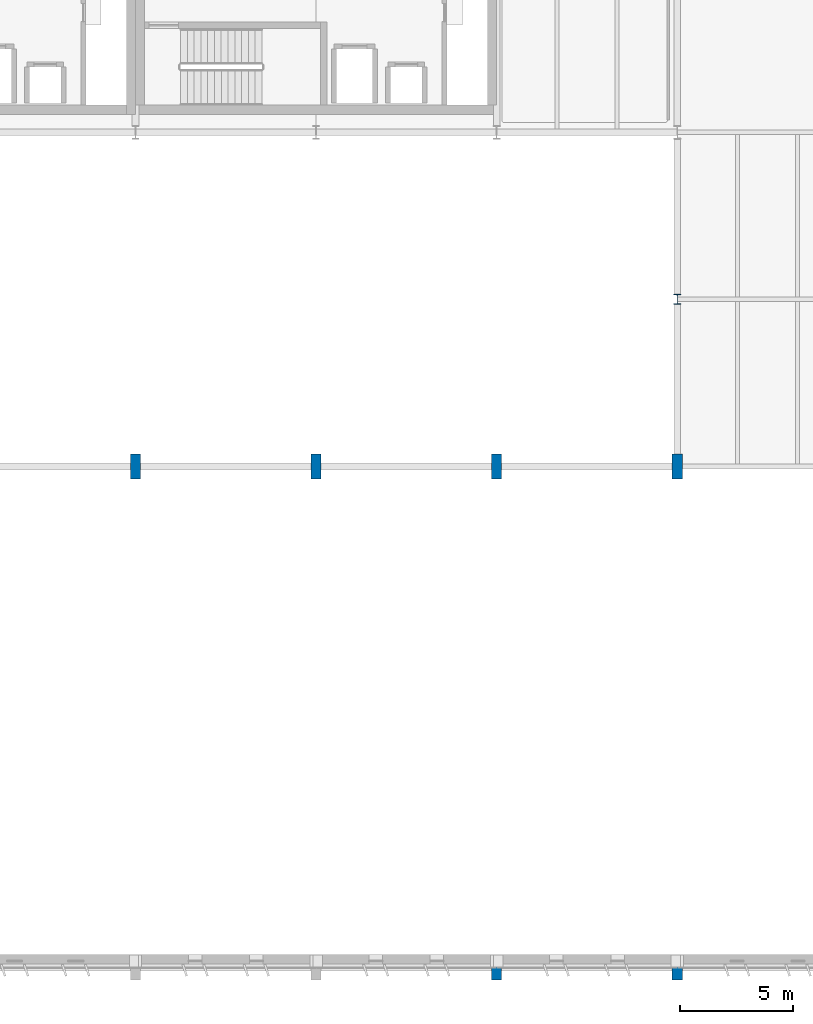
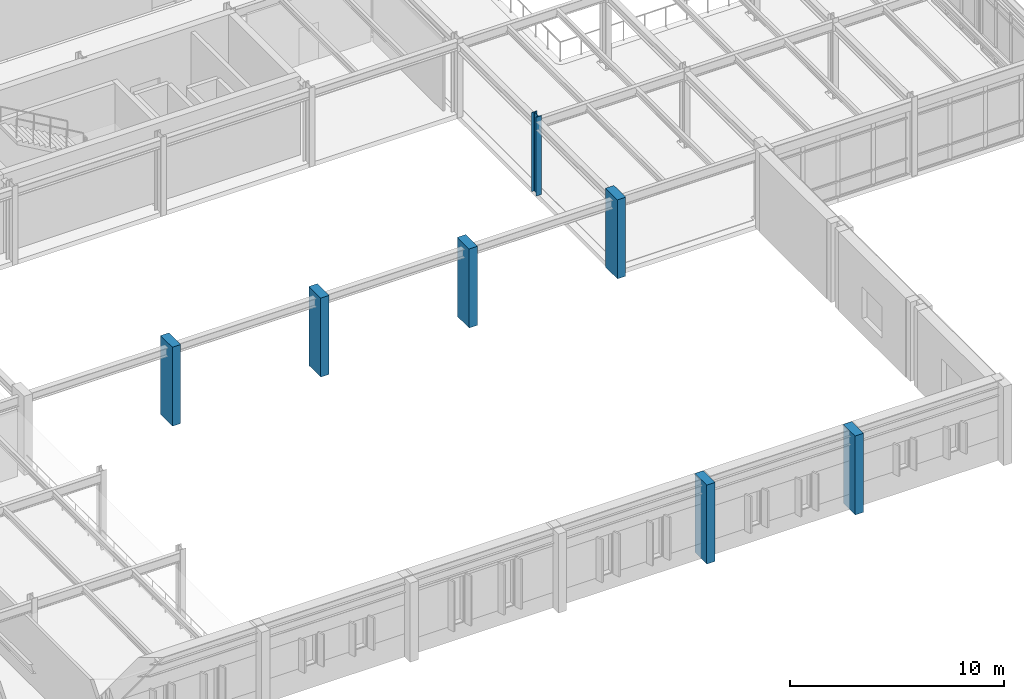
# One storey, part 2 of 75: 7 columns.
"""IFC4 building model written with IfcOpenShell, lengths in metres."""

from ifc_helpers import new_model, si_unit, direction, frame, origin, origin_2d, place, context, subcontext, project, spatial, rectangle, i_section, extrude, material, material_profile, profile_set, type_object, element, save


model = new_model("IFC4")

# Units and contexts
model_context = context("Model", 3, precision=1e-05, world=origin(), true_north=direction((0.0, 1.0)))
body_context = subcontext(model_context, "Body", "Model", "MODEL_VIEW")
ifc_project = project(units=[si_unit("LENGTHUNIT", "METRE"), si_unit("AREAUNIT", "SQUARE_METRE"), si_unit("VOLUMEUNIT", "CUBIC_METRE"), si_unit("PLANEANGLEUNIT", "RADIAN"), si_unit("MASSUNIT", "GRAM", prefix="KILO")], contexts=[model_context])

# Site, building, storey
site_placement = place(None, origin())
site = spatial("IfcSite", under=ifc_project, at=site_placement, CompositionType="ELEMENT")
building_placement = place(site_placement, origin())
building = spatial("IfcBuilding", under=site, at=building_placement, Name="Valkorina Park Police Headquarters", CompositionType="ELEMENT")
storey_placement = place(building_placement, frame((0.0, 0.0, 5.39990234375)))
storey = spatial("IfcBuildingStorey", under=building, at=storey_placement, Name="L02", CompositionType="ELEMENT", Elevation=5.39990234375)

# Columns
ifc_material_1 = material(Name="Concrete C40/50", Category="concrete")
ifc_material_profile_1 = material_profile(ifc_material_1, rectangle(XDim=0.449951171875, YDim=1.10009765625, at=origin_2d()), Name="RC PIER 450x1100")
ifc_profile_set_1 = profile_set([ifc_material_profile_1], Name="Concrete C40/50")
column_type_1 = type_object("IfcColumnType", Name="COL-RC-PIER-EXT", PredefinedType="PILASTER", material=ifc_profile_set_1)
for number, where, z_axis, x_axis, name in (
    (1, (32.800048828125, 22.199951171875, 0.0), (0.0, 0.0, 1.0), (1.0, 0.0, 0.0), "L02 Column 0546"),
    (2, (40.800048828125, 22.199951171875, 0.0), (0.0, 0.0, 1.0), (1.0, 0.0, 0.0), "L02 Column 0559"),
    (3, (48.800048828125, 0.0, 0.0), (0.0, 0.0, 1.0), (1.0, 0.0, 0.0), "L02 Column 0569"),
    (4, (48.800048828125, 22.199951171875, 0.0), (0.0, 0.0, 1.0), (1.0, 0.0, 0.0), "L02 Column 0570"),
    (5, (56.800048828125, 0.0, 0.0), (0.0, 0.0, 1.0), (1.0, 0.0, 0.0), "L02 Column 0580"),
    (6, (56.800048828125, 22.199951171875, 0.0), (0.0, 0.0, 1.0), (1.0, 0.0, 0.0), "L02 Column 0581"),
):
    element("IfcColumn", number, at=place(storey_placement, frame(where, z_axis=z_axis, x_axis=x_axis)), inside=storey, type_object=column_type_1, Name=name, PredefinedType="PILASTER", context=body_context, shape_type="SweptSolid", body=[
        extrude(rectangle(XDim=0.449951171875, YDim=1.10009765625, at=origin_2d()), origin(), (0.0, 0.0, 1.0), 4.5),
    ])
ifc_material_2 = material(Name="Steel S355", Category="steel")
ifc_material_profile_2 = material_profile(ifc_material_2, i_section(OverallWidth=0.300048828125, OverallDepth=0.449951171875, WebThickness=0.013916015625, FlangeThickness=0.02587890625, FilletRadius=0.027099609375, at=origin_2d()), Name="HEB 450")
ifc_profile_set_2 = profile_set([ifc_material_profile_2], Name="Steel S355")
column_type_2 = type_object("IfcColumnType", Name="COL-S355-HEB450-EXT", PredefinedType="COLUMN", material=ifc_profile_set_2)
column_placement = place(storey_placement, frame((56.800048828125, 29.60009765625, 0.0), z_axis=(0.0, 0.0, 1.0), x_axis=(1.0, 0.0, 0.0)))
element("IfcColumn", 7, at=column_placement, inside=storey, type_object=column_type_2, Name="L02 Column 0582", PredefinedType="COLUMN", context=body_context, shape_type="SweptSolid", body=[
    extrude(i_section(OverallWidth=0.300048828125, OverallDepth=0.449951171875, WebThickness=0.013916015625, FlangeThickness=0.02587890625, FilletRadius=0.027099609375, at=origin_2d()), origin(), (0.0, 0.0, 1.0), 4.5),
])

save(model, "model.ifc")
